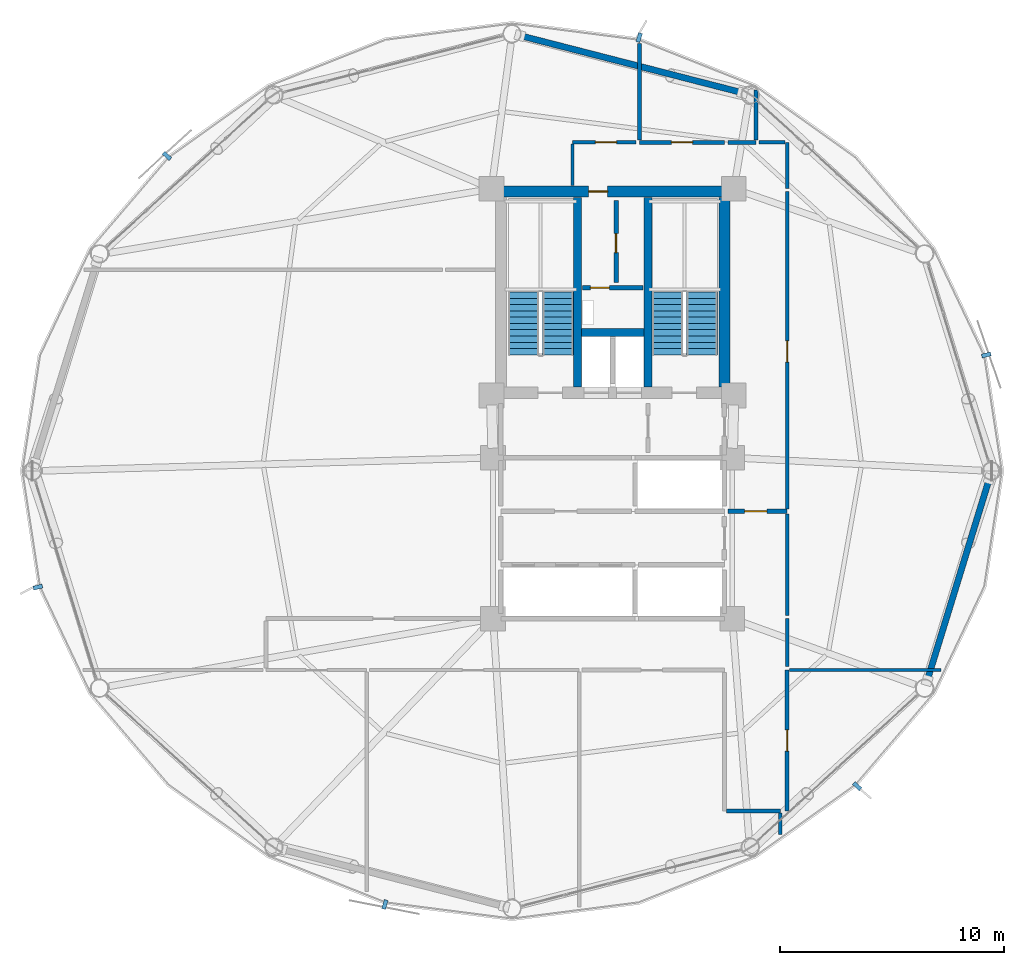
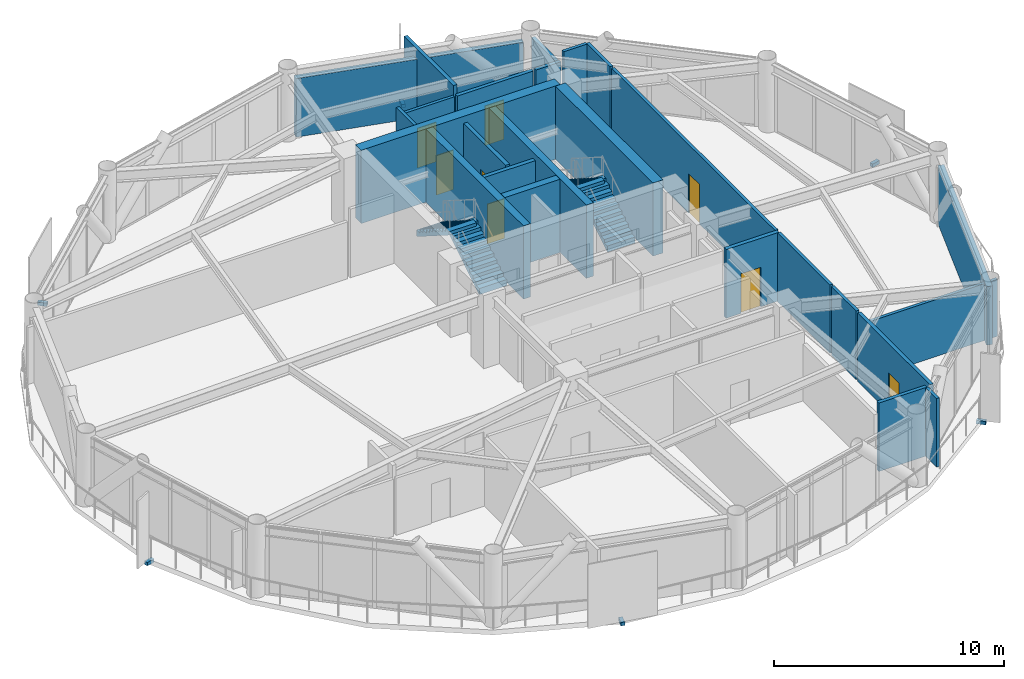
# One storey, part 21 of 24: 25 walls, 8 doors, 6 discrete accessories, 4 stair flights, 8 openings, 2 elements without a shape of their own.
"""IFC4 building model written with IfcOpenShell, lengths in metres."""

from ifc_helpers import new_model, si_unit, direction, frame, frame_2d, origin, origin_2d, place, context, subcontext, project, spatial, polyline, rectangle, outline, extrude, source, transform, mapped, material, layer, layer_set, type_object, type_shapes, element, fill, aggregate, save


model = new_model("IFC4")

# Units and contexts
model_context = context("Model", 3, precision=1e-05, world=origin(), true_north=direction((0.0, 1.0)))
body_context = subcontext(model_context, "Body", "Model", "MODEL_VIEW")
ifc_project = project(units=[si_unit("LENGTHUNIT", "METRE"), si_unit("AREAUNIT", "SQUARE_METRE"), si_unit("VOLUMEUNIT", "CUBIC_METRE"), si_unit("PLANEANGLEUNIT", "RADIAN"), si_unit("MASSUNIT", "GRAM", prefix="KILO")], contexts=[model_context])

# Site, building, storey
site_placement = place(None, origin())
site = spatial("IfcSite", under=ifc_project, at=site_placement, CompositionType="ELEMENT")
building_placement = place(site_placement, origin())
building = spatial("IfcBuilding", under=site, at=building_placement, Name="Varnakorn Sky Granary", CompositionType="ELEMENT")
storey_placement = place(building_placement, frame((0.0, 0.0, 111.0)))
storey = spatial("IfcBuildingStorey", under=building, at=storey_placement, Name="L27", CompositionType="ELEMENT", Elevation=111.0)

# Walls
ifc_material_1 = material(Name="Concrete C50/60", Category="concrete")
ifc_layer_1 = layer(ifc_material_1, 0.35009765625, Name="Concrete C50/60")
ifc_layer_set_1 = layer_set([ifc_layer_1], Name="Concrete C50/60")
wall_type_1 = type_object("IfcWallType", Name="WT-CW-INT-350", PredefinedType="SHEAR", material=ifc_layer_set_1)
for number, where, z_axis, x_axis, name in (
    (1, (1.419921875, 3.760009765625, 0.0), (0.0, 0.0, 1.0), (0.0, 1.0, 0.0), "Stair ST-1 Core Wall L27"),
    (2, (4.580078125, 3.760009765625, 0.0), (0.0, 0.0, 1.0), (0.0, 1.0, 0.0), "Stair ST-2 Core Wall L27"),
):
    element("IfcWall", number, at=place(storey_placement, frame(where, z_axis=z_axis, x_axis=x_axis)), inside=storey, type_object=wall_type_1, Name=name, PredefinedType="SHEAR", context=body_context, shape_type="SweptSolid", body=[
        extrude(rectangle(XDim=8.47998046875, YDim=0.35009765625, at=frame_2d((4.239990234375, 0.0))), origin(), (0.0, 0.0, 1.0), 3.89208984375),
    ])
wall_1_placement = place(storey_placement, frame((1.610107421875, 6.199951171875, 0.0), z_axis=(0.0, 0.0, 1.0), x_axis=(1.0, 0.0, 0.0)))
element("IfcWall", 3, at=wall_1_placement, inside=storey, type_object=wall_type_1, Name="Core Lift Shaft Cross Wall L27", PredefinedType="SHEAR", context=body_context, shape_type="SweptSolid", body=[
    extrude(rectangle(XDim=2.77978515625, YDim=0.35009765625, at=frame_2d((1.389892578125, 0.0))), origin(), (0.0, 0.0, 1.0), 3.89208984375),
])

# Wall, opening, door
ifc_material_2 = material(Name="Concrete C60/75", Category="concrete")
ifc_layer_2 = layer(ifc_material_2, 0.5, Name="Concrete C60/75")
ifc_layer_set_2 = layer_set([ifc_layer_2], Name="Concrete C60/75")
wall_type_2 = type_object("IfcWallType", Name="WT-CW-SHEAR-500", PredefinedType="SHEAR", material=ifc_layer_set_2)
wall_2_placement = place(storey_placement, frame((-2.0, 12.5, 0.0), z_axis=(0.0, 0.0, 1.0), x_axis=(1.0, 0.0, 0.0)))
wall_2 = element("IfcWall", 4, at=wall_2_placement, inside=storey, type_object=wall_type_2, Name="Core North Shear Wall L27", PredefinedType="SHEAR", context=body_context, shape_type="SweptSolid", body=[
    extrude(rectangle(XDim=10.0, YDim=0.5, at=frame_2d((5.0, 0.0))), origin(), (0.0, 0.0, 1.0), 3.89208984375),
])
opening_1_placement = place(wall_2_placement, frame((3.919921875, 0.0, 0.0)))
opening_1 = element("IfcOpeningElement", 5, at=opening_1_placement, cuts=wall_2, Name="Opening FD-60N", PredefinedType="OPENING", context=body_context, shape_type="SweptSolid", body=[
    extrude(rectangle(XDim=0.85009765625, YDim=2.10009765625, at=frame_2d((0.425048828125, 1.050048828125))), frame((0.0, 0.260009765625, 0.0), z_axis=(0.0, -1.0, 0.0), x_axis=(1.0, 0.0, 0.0)), (0.0, 0.0, 1.0), 0.52001953125),
])
ifc_material_3 = material(Name="Acoustic Timber Fire Leaf", Category="wood")
door_type_1 = type_object("IfcDoorType", Name="DR-FD60-850", OperationType="NOTDEFINED", PredefinedType="DOOR", material=ifc_material_3)
door_1_placement = place(opening_1_placement, origin())
door_1 = element("IfcDoor", 6, at=door_1_placement, inside=storey, type_object=door_type_1, Name="Core North Service Door L27", OperationType="SINGLE_SWING_LEFT", OverallHeight=2.10009765625, OverallWidth=0.85009765625, PredefinedType="DOOR", context=body_context, shape_type="SweptSolid", body=[
    extrude(rectangle(XDim=0.85009765625, YDim=2.10009765625, at=frame_2d((0.425048828125, 1.050048828125))), frame((0.0, 0.02490234375, 0.0), z_axis=(0.0, -1.0, 0.0), x_axis=(1.0, 0.0, 0.0)), (0.0, 0.0, 1.0), 0.050048828125),
])
fill(opening_1, door_1)

# Walls
wall_3_placement = place(storey_placement, frame((8.0, 3.760009765625, 0.0), z_axis=(0.0, 0.0, 1.0), x_axis=(0.0, 1.0, 0.0)))
element("IfcWall", 7, at=wall_3_placement, inside=storey, type_object=wall_type_2, Name="Core East Shear Wall L27", PredefinedType="SHEAR", context=body_context, shape_type="SweptSolid", body=[
    extrude(rectangle(XDim=8.47998046875, YDim=0.5, at=frame_2d((4.239990234375, 0.0))), origin(), (0.0, 0.0, 1.0), 3.89208984375),
])
ifc_material_4 = material(Name="Precast concrete C40/50", Category="concrete")
ifc_layer_3 = layer(ifc_material_4, 0.280029296875, Name="Precast concrete C40/50")
ifc_layer_set_3 = layer_set([ifc_layer_3], Name="Precast concrete C40/50")
wall_type_3 = type_object("IfcWallType", Name="WT-EW-CRN-280", PredefinedType="SOLIDWALL", material=ifc_layer_set_3)
wall_4_placement = place(storey_placement, frame((-1.14990234375, 19.47412109375, 0.0), z_axis=(0.0, 0.0, 1.0), x_axis=(0.96854773237, -0.248827832286, 0.0)))
element("IfcWall", 8, at=wall_4_placement, inside=storey, type_object=wall_type_3, Name="Agritech Insulated Precast Facade Wall L27-P03", PredefinedType="SOLIDWALL", context=body_context, shape_type="SweptSolid", body=[
    extrude(rectangle(XDim=10.280517578125, YDim=0.280029296875, at=frame_2d((5.14013671875, 0.0))), origin(), (0.0, 0.0, 1.0), 3.110107421875),
])
wall_5_placement = place(storey_placement, frame((19.843505859375, -0.345458984375, 0.0), z_axis=(0.0, 0.0, 1.0), x_axis=(-0.294220311177, -0.95573762534, 0.0)))
element("IfcWall", 9, at=wall_5_placement, inside=storey, type_object=wall_type_3, Name="Agritech Insulated Precast Facade Wall L27-P12", PredefinedType="SOLIDWALL", context=body_context, shape_type="SweptSolid", body=[
    extrude(rectangle(XDim=9.44140625, YDim=0.280029296875, at=frame_2d((4.720703125, 0.0))), origin(), (0.0, 0.0, 1.0), 3.110107421875),
])

# Wall, opening, door
ifc_material_5 = material(Name="Autoclaved Aerated Concrete Blockwork", Category="masonry")
ifc_layer_4 = layer(ifc_material_5, 0.199951171875, Name="Autoclaved Aerated Concrete Blockwork")
ifc_layer_set_4 = layer_set([ifc_layer_4], Name="Autoclaved Aerated Concrete Blockwork")
wall_type_4 = type_object("IfcWallType", Name="WT-FIRE-200", PredefinedType="MOVABLE", material=ifc_layer_set_4)
wall_6_placement = place(storey_placement, frame((1.64990234375, 8.199951171875, 0.0), z_axis=(0.0, 0.0, 1.0), x_axis=(1.0, 0.0, 0.0)))
wall_6 = element("IfcWall", 10, at=wall_6_placement, inside=storey, type_object=wall_type_4, Name="Interior Partition Wall L27-013", PredefinedType="MOVABLE", context=body_context, shape_type="SweptSolid", body=[
    extrude(rectangle(XDim=2.7001953125, YDim=0.199951171875, at=frame_2d((1.35009765625, 0.0))), origin(), (0.0, 0.0, 1.0), 3.639892578125),
])
opening_2_placement = place(wall_6_placement, frame((0.35009765625, 0.0, 0.0)))
opening_2 = element("IfcOpeningElement", 11, at=opening_2_placement, cuts=wall_6, Name="Opening FD-60N", PredefinedType="OPENING", context=body_context, shape_type="SweptSolid", body=[
    extrude(rectangle(XDim=0.85009765625, YDim=2.10009765625, at=frame_2d((0.425048828125, 1.050048828125))), frame((0.0, 0.10986328125, 0.0), z_axis=(0.0, -1.0, 0.0), x_axis=(1.0, 0.0, 0.0)), (0.0, 0.0, 1.0), 0.219970703125),
])
door_2_placement = place(opening_2_placement, origin())
door_2 = element("IfcDoor", 12, at=door_2_placement, inside=storey, type_object=door_type_1, Name="Interior Door L27-013-1", OperationType="SINGLE_SWING_RIGHT", OverallHeight=2.10009765625, OverallWidth=0.85009765625, PredefinedType="DOOR", context=body_context, shape_type="SweptSolid", body=[
    extrude(rectangle(XDim=0.85009765625, YDim=2.10009765625, at=frame_2d((0.425048828125, 1.050048828125))), frame((0.0, 0.02490234375, 0.0), z_axis=(0.0, -1.0, 0.0), x_axis=(1.0, 0.0, 0.0)), (0.0, 0.0, 1.0), 0.050048828125),
])
fill(opening_2, door_2)

wall_7_placement = place(storey_placement, frame((3.14990234375, 8.429931640625, 0.0), z_axis=(0.0, 0.0, 1.0), x_axis=(0.0, 1.0, 0.0)))
wall_7 = element("IfcWall", 13, at=wall_7_placement, inside=storey, type_object=wall_type_4, Name="Interior Partition Wall L27-014", PredefinedType="MOVABLE", context=body_context, shape_type="SweptSolid", body=[
    extrude(rectangle(XDim=3.670166015625, YDim=0.199951171875, at=frame_2d((1.8349609375, 0.0))), origin(), (0.0, 0.0, 1.0), 3.639892578125),
])
opening_3_placement = place(wall_7_placement, frame((1.340087890625, 0.0, 0.0)))
opening_3 = element("IfcOpeningElement", 14, at=opening_3_placement, cuts=wall_7, Name="Opening FD-60N", PredefinedType="OPENING", context=body_context, shape_type="SweptSolid", body=[
    extrude(rectangle(XDim=0.85009765625, YDim=2.10009765625, at=frame_2d((0.425048828125, 1.050048828125))), frame((0.0, 0.10986328125, 0.0), z_axis=(0.0, -1.0, 0.0), x_axis=(1.0, 0.0, 0.0)), (0.0, 0.0, 1.0), 0.219970703125),
])
door_3_placement = place(opening_3_placement, origin())
door_3 = element("IfcDoor", 15, at=door_3_placement, inside=storey, type_object=door_type_1, Name="Interior Door L27-014-1", OperationType="SINGLE_SWING_LEFT", OverallHeight=2.10009765625, OverallWidth=0.85009765625, PredefinedType="DOOR", context=body_context, shape_type="SweptSolid", body=[
    extrude(rectangle(XDim=0.85009765625, YDim=2.10009765625, at=frame_2d((0.425048828125, 1.050048828125))), frame((0.0, 0.02490234375, 0.0), z_axis=(0.0, -1.0, 0.0), x_axis=(1.0, 0.0, 0.0)), (0.0, 0.0, 1.0), 0.050048828125),
])
fill(opening_3, door_3)

wall_8_placement = place(storey_placement, frame((8.159912109375, -1.800048828125, 0.0), z_axis=(0.0, 0.0, 1.0), x_axis=(1.0, 0.0, 0.0)))
wall_8 = element("IfcWall", 16, at=wall_8_placement, inside=storey, type_object=wall_type_4, Name="Interior Partition Wall L27-019", PredefinedType="MOVABLE", context=body_context, shape_type="SweptSolid", body=[
    extrude(rectangle(XDim=2.64013671875, YDim=0.199951171875, at=frame_2d((1.320068359375, 0.0))), origin(), (0.0, 0.0, 1.0), 3.639892578125),
])
opening_4_placement = place(wall_8_placement, frame((0.739990234375, 0.0, 0.0)))
opening_4 = element("IfcOpeningElement", 17, at=opening_4_placement, cuts=wall_8, Name="Opening FD-60", PredefinedType="OPENING", context=body_context, shape_type="SweptSolid", body=[
    extrude(rectangle(XDim=1.0, YDim=2.10009765625, at=frame_2d((0.5, 1.050048828125))), frame((0.0, 0.10986328125, 0.0), z_axis=(0.0, -1.0, 0.0), x_axis=(1.0, 0.0, 0.0)), (0.0, 0.0, 1.0), 0.219970703125),
])
door_type_2 = type_object("IfcDoorType", Name="DR-FD60-1000", OperationType="NOTDEFINED", PredefinedType="DOOR", material=ifc_material_3)
door_4_placement = place(opening_4_placement, origin())
door_4 = element("IfcDoor", 18, at=door_4_placement, inside=storey, type_object=door_type_2, Name="Interior Door L27-019-1", OperationType="SINGLE_SWING_RIGHT", OverallHeight=2.10009765625, OverallWidth=1.0, PredefinedType="DOOR", context=body_context, shape_type="SweptSolid", body=[
    extrude(rectangle(XDim=1.0, YDim=2.10009765625, at=frame_2d((0.5, 1.050048828125))), frame((0.0, 0.02490234375, 0.0), z_axis=(0.0, -1.0, 0.0), x_axis=(1.0, 0.0, 0.0)), (0.0, 0.0, 1.0), 0.050048828125),
])
fill(opening_4, door_4)

ifc_material_6 = material(Name="Gypsum Plasterboard on Steel Stud", Category="steel")
ifc_layer_5 = layer(ifc_material_6, 0.14990234375, Name="Gypsum Plasterboard on Steel Stud")
ifc_layer_set_5 = layer_set([ifc_layer_5], Name="Gypsum Plasterboard on Steel Stud")
wall_type_5 = type_object("IfcWallType", Name="WT-PART-150", PredefinedType="PARTITIONING", material=ifc_layer_set_5)
wall_9_placement = place(storey_placement, frame((4.050048828125, 14.699951171875, 0.0), z_axis=(0.0, 0.0, 1.0), x_axis=(-1.0, 0.0, 0.0)))
wall_9 = element("IfcWall", 19, at=wall_9_placement, inside=storey, type_object=wall_type_5, Name="Interior Partition Wall L27-026", PredefinedType="PARTITIONING", context=body_context, shape_type="SweptSolid", body=[
    extrude(rectangle(XDim=2.85009765625, YDim=0.14990234375, at=frame_2d((1.425048828125, 0.0))), origin(), (0.0, 0.0, 1.0), 3.172119140625),
])
opening_5_placement = place(wall_9_placement, frame((0.875, 0.0, 0.0)))
opening_5 = element("IfcOpeningElement", 20, at=opening_5_placement, cuts=wall_9, Name="Opening ID-95", PredefinedType="OPENING", context=body_context, shape_type="SweptSolid", body=[
    extrude(rectangle(XDim=0.949951171875, YDim=2.10009765625, at=frame_2d((0.47509765625, 1.050048828125))), frame((0.0, 0.0849609375, 0.0), z_axis=(0.0, -1.0, 0.0), x_axis=(1.0, 0.0, 0.0)), (0.0, 0.0, 1.0), 0.169921875),
])
ifc_material_7 = material(Name="Solid-Core Teak Veneer Leaf", Category="timber")
door_type_3 = type_object("IfcDoorType", Name="DR-INT-950", OperationType="NOTDEFINED", PredefinedType="DOOR", material=ifc_material_7)
door_5_placement = place(opening_5_placement, origin())
door_5 = element("IfcDoor", 21, at=door_5_placement, inside=storey, type_object=door_type_3, Name="Interior Door L27-026-1", OperationType="SINGLE_SWING_LEFT", OverallHeight=2.10009765625, OverallWidth=0.949951171875, PredefinedType="DOOR", context=body_context, shape_type="SweptSolid", body=[
    extrude(rectangle(XDim=0.949951171875, YDim=2.10009765625, at=frame_2d((0.47509765625, 1.050048828125))), frame((0.0, 0.02490234375, 0.0), z_axis=(0.0, -1.0, 0.0), x_axis=(1.0, 0.0, 0.0)), (0.0, 0.0, 1.0), 0.050048828125),
])
fill(opening_5, door_5)

wall_10_placement = place(storey_placement, frame((10.800048828125, -1.68994140625, 0.0), z_axis=(0.0, 0.0, 1.0), x_axis=(0.0, 1.0, 0.0)))
wall_10 = element("IfcWall", 22, at=wall_10_placement, inside=storey, type_object=wall_type_5, Name="Interior Partition Wall L27-027", PredefinedType="PARTITIONING", context=body_context, shape_type="SweptSolid", body=[
    extrude(rectangle(XDim=14.18994140625, YDim=0.14990234375, at=frame_2d((7.094970703125, 0.0))), origin(), (0.0, 0.0, 1.0), 3.639892578125),
])
opening_6_placement = place(wall_10_placement, frame((6.56494140625, 0.0, 0.0)))
opening_6 = element("IfcOpeningElement", 23, at=opening_6_placement, cuts=wall_10, Name="Opening ID-95", PredefinedType="OPENING", context=body_context, shape_type="SweptSolid", body=[
    extrude(rectangle(XDim=0.949951171875, YDim=2.10009765625, at=frame_2d((0.47509765625, 1.050048828125))), frame((0.0, 0.0849609375, 0.0), z_axis=(0.0, -1.0, 0.0), x_axis=(1.0, 0.0, 0.0)), (0.0, 0.0, 1.0), 0.169921875),
])
door_6_placement = place(opening_6_placement, origin())
door_6 = element("IfcDoor", 24, at=door_6_placement, inside=storey, type_object=door_type_3, Name="Interior Door L27-027-1", OperationType="SINGLE_SWING_RIGHT", OverallHeight=2.10009765625, OverallWidth=0.949951171875, PredefinedType="DOOR", context=body_context, shape_type="SweptSolid", body=[
    extrude(rectangle(XDim=0.949951171875, YDim=2.10009765625, at=frame_2d((0.47509765625, 1.050048828125))), frame((0.0, 0.02490234375, 0.0), z_axis=(0.0, -1.0, 0.0), x_axis=(1.0, 0.0, 0.0)), (0.0, 0.0, 1.0), 0.050048828125),
])
fill(opening_6, door_6)

# Walls
wall_11_placement = place(storey_placement, frame((10.5, -15.300048828125, 0.0), z_axis=(0.0, 0.0, 1.0), x_axis=(0.0, -1.0, 0.0)))
element("IfcWall", 25, at=wall_11_placement, inside=storey, type_object=wall_type_5, Name="Interior Partition Wall L27-038", PredefinedType="PARTITIONING", context=body_context, shape_type="SweptSolid", body=[
    extrude(rectangle(XDim=0.947998046875, YDim=0.14990234375, at=frame_2d((0.47412109375, 0.0))), origin(), (0.0, 0.0, 1.0), 3.639892578125),
])
wall_12_placement = place(storey_placement, frame((10.89990234375, -8.89990234375, 0.0), z_axis=(0.0, 0.0, 1.0), x_axis=(1.0, 0.0, 0.0)))
element("IfcWall", 26, at=wall_12_placement, inside=storey, type_object=wall_type_5, Name="Interior Partition Wall L27-039", PredefinedType="PARTITIONING", context=body_context, shape_type="SweptSolid", body=[
    extrude(rectangle(XDim=6.7880859375, YDim=0.14990234375, at=frame_2d((3.39404296875, 0.0))), origin(), (0.0, 0.0, 1.0), 3.02197265625),
])
wall_13_placement = place(storey_placement, frame((1.199951171875, 14.614990234375, 0.0), z_axis=(0.0, 0.0, 1.0), x_axis=(0.0, -1.0, 0.0)))
element("IfcWall", 27, at=wall_13_placement, inside=storey, type_object=wall_type_5, Name="Interior Partition Wall L27-043", PredefinedType="PARTITIONING", context=body_context, shape_type="SweptSolid", body=[
    extrude(rectangle(XDim=1.85498046875, YDim=0.14990234375, at=frame_2d((0.927490234375, 0.0))), origin(), (0.0, 0.0, 1.0), 3.639892578125),
])
wall_14_placement = place(storey_placement, frame((10.800048828125, 12.635009765625, 0.0), z_axis=(0.0, 0.0, 1.0), x_axis=(0.0, 1.0, 0.0)))
element("IfcWall", 28, at=wall_14_placement, inside=storey, type_object=wall_type_5, Name="Interior Partition Wall L27-045", PredefinedType="PARTITIONING", context=body_context, shape_type="SweptSolid", body=[
    extrude(rectangle(XDim=2.06494140625, YDim=0.14990234375, at=frame_2d((1.032470703125, 0.0))), origin(), (0.0, 0.0, 1.0), 3.639892578125),
])
wall_15_placement = place(storey_placement, frame((10.715087890625, 14.699951171875, 0.0), z_axis=(0.0, 0.0, 1.0), x_axis=(-1.0, 0.0, 0.0)))
element("IfcWall", 29, at=wall_15_placement, inside=storey, type_object=wall_type_5, Name="Interior Partition Wall L27-046", PredefinedType="PARTITIONING", context=body_context, shape_type="SweptSolid", body=[
    extrude(rectangle(XDim=1.1650390625, YDim=0.14990234375, at=frame_2d((0.58251953125, 0.0))), origin(), (0.0, 0.0, 1.0), 3.639892578125),
])
wall_16_placement = place(storey_placement, frame((10.800048828125, -8.75, 0.0), z_axis=(0.0, 0.0, 1.0), x_axis=(0.0, 1.0, 0.0)))
element("IfcWall", 30, at=wall_16_placement, inside=storey, type_object=wall_type_5, Name="Interior Partition Wall L27-047", PredefinedType="PARTITIONING", context=body_context, shape_type="SweptSolid", body=[
    extrude(rectangle(XDim=2.14990234375, YDim=0.14990234375, at=frame_2d((1.074951171875, 0.0))), origin(), (0.0, 0.0, 1.0), 3.639892578125),
])
wall_17_placement = place(storey_placement, frame((10.800048828125, -6.465087890625, 0.0), z_axis=(0.0, 0.0, 1.0), x_axis=(0.0, 1.0, 0.0)))
element("IfcWall", 31, at=wall_17_placement, inside=storey, type_object=wall_type_5, Name="Interior Partition Wall L27-048", PredefinedType="PARTITIONING", context=body_context, shape_type="SweptSolid", body=[
    extrude(rectangle(XDim=4.55517578125, YDim=0.14990234375, at=frame_2d((2.277587890625, 0.0))), origin(), (0.0, 0.0, 1.0), 3.639892578125),
])

# Wall, opening, door
ifc_material_8 = material(Name="Moisture-Resistant Gypsum on Stud", Category="gypsum")
ifc_layer_6 = layer(ifc_material_8, 0.179931640625, Name="Moisture-Resistant Gypsum on Stud")
ifc_layer_set_6 = layer_set([ifc_layer_6], Name="Moisture-Resistant Gypsum on Stud")
wall_type_6 = type_object("IfcWallType", Name="WT-PLUMB-180", PredefinedType="PLUMBINGWALL", material=ifc_layer_set_6)
wall_18_placement = place(storey_placement, frame((8.0, 14.699951171875, 0.0), z_axis=(0.0, 0.0, 1.0), x_axis=(-1.0, 0.0, 0.0)))
wall_18 = element("IfcWall", 32, at=wall_18_placement, inside=storey, type_object=wall_type_6, Name="Interior Partition Wall L27-020", PredefinedType="PLUMBINGWALL", context=body_context, shape_type="SweptSolid", body=[
    extrude(rectangle(XDim=3.800048828125, YDim=0.179931640625, at=frame_2d((1.89990234375, 0.0))), origin(), (0.0, 0.0, 1.0), 3.172119140625),
])
opening_7_placement = place(wall_18_placement, frame((1.425048828125, 0.0, 0.0)))
opening_7 = element("IfcOpeningElement", 33, at=opening_7_placement, cuts=wall_18, Name="Opening ID-95", PredefinedType="OPENING", context=body_context, shape_type="SweptSolid", body=[
    extrude(rectangle(XDim=0.949951171875, YDim=2.10009765625, at=frame_2d((0.47509765625, 1.050048828125))), frame((0.0, 0.10009765625, 0.0), z_axis=(0.0, -1.0, 0.0), x_axis=(1.0, 0.0, 0.0)), (0.0, 0.0, 1.0), 0.199951171875),
])
door_7_placement = place(opening_7_placement, origin())
door_7 = element("IfcDoor", 34, at=door_7_placement, inside=storey, type_object=door_type_3, Name="Interior Door L27-020-1", OperationType="SINGLE_SWING_LEFT", OverallHeight=2.10009765625, OverallWidth=0.949951171875, PredefinedType="DOOR", context=body_context, shape_type="SweptSolid", body=[
    extrude(rectangle(XDim=0.949951171875, YDim=2.10009765625, at=frame_2d((0.47509765625, 1.050048828125))), frame((0.0, 0.02490234375, 0.0), z_axis=(0.0, -1.0, 0.0), x_axis=(1.0, 0.0, 0.0)), (0.0, 0.0, 1.0), 0.050048828125),
])
fill(opening_7, door_7)

wall_19_placement = place(storey_placement, frame((10.800048828125, -15.199951171875, 0.0), z_axis=(0.0, 0.0, 1.0), x_axis=(0.0, 1.0, 0.0)))
wall_19 = element("IfcWall", 35, at=wall_19_placement, inside=storey, type_object=wall_type_6, Name="Interior Partition Wall L27-024", PredefinedType="PLUMBINGWALL", context=body_context, shape_type="SweptSolid", body=[
    extrude(rectangle(XDim=6.300048828125, YDim=0.179931640625, at=frame_2d((3.14990234375, 0.0))), origin(), (0.0, 0.0, 1.0), 3.639892578125),
])
opening_8_placement = place(wall_19_placement, frame((2.675048828125, 0.0, 0.0)))
opening_8 = element("IfcOpeningElement", 36, at=opening_8_placement, cuts=wall_19, Name="Opening ID-95", PredefinedType="OPENING", context=body_context, shape_type="SweptSolid", body=[
    extrude(rectangle(XDim=0.949951171875, YDim=2.10009765625, at=frame_2d((0.47509765625, 1.050048828125))), frame((0.0, 0.10009765625, 0.0), z_axis=(0.0, -1.0, 0.0), x_axis=(1.0, 0.0, 0.0)), (0.0, 0.0, 1.0), 0.199951171875),
])
door_8_placement = place(opening_8_placement, origin())
door_8 = element("IfcDoor", 37, at=door_8_placement, inside=storey, type_object=door_type_3, Name="Interior Door L27-024-1", OperationType="SINGLE_SWING_LEFT", OverallHeight=2.10009765625, OverallWidth=0.949951171875, PredefinedType="DOOR", context=body_context, shape_type="SweptSolid", body=[
    extrude(rectangle(XDim=0.949951171875, YDim=2.10009765625, at=frame_2d((0.47509765625, 1.050048828125))), frame((0.0, 0.02490234375, 0.0), z_axis=(0.0, -1.0, 0.0), x_axis=(1.0, 0.0, 0.0)), (0.0, 0.0, 1.0), 0.050048828125),
])
fill(opening_8, door_8)

# Walls
wall_20_placement = place(storey_placement, frame((9.39990234375, 14.699951171875, 0.0), z_axis=(0.0, 0.0, 1.0), x_axis=(-1.0, 0.0, 0.0)))
element("IfcWall", 38, at=wall_20_placement, inside=storey, type_object=wall_type_6, Name="Interior Partition Wall L27-032", PredefinedType="PLUMBINGWALL", context=body_context, shape_type="SweptSolid", body=[
    extrude(rectangle(XDim=1.25, YDim=0.179931640625, at=frame_2d((0.625, 0.0))), origin(), (0.0, 0.0, 1.0), 3.172119140625),
])
wall_21_placement = place(storey_placement, frame((8.10009765625, -15.199951171875, 0.0), z_axis=(0.0, 0.0, 1.0), x_axis=(1.0, 0.0, 0.0)))
element("IfcWall", 39, at=wall_21_placement, inside=storey, type_object=wall_type_6, Name="Interior Partition Wall L27-037", PredefinedType="PLUMBINGWALL", context=body_context, shape_type="SweptSolid", body=[
    extrude(rectangle(XDim=2.39990234375, YDim=0.179931640625, at=frame_2d((1.199951171875, 0.0))), origin(), (0.0, 0.0, 1.0), 3.639892578125),
])
wall_22_placement = place(storey_placement, frame((4.199951171875, 19.1220703125, 0.0), z_axis=(0.0, 0.0, 1.0), x_axis=(0.0, -1.0, 0.0)))
element("IfcWall", 40, at=wall_22_placement, inside=storey, type_object=wall_type_6, Name="Interior Partition Wall L27-044", PredefinedType="PLUMBINGWALL", context=body_context, shape_type="SweptSolid", body=[
    extrude(rectangle(XDim=4.322021484375, YDim=0.179931640625, at=frame_2d((2.1611328125, 0.0))), origin(), (0.0, 0.0, 1.0), 3.639892578125),
])
wall_23_placement = place(storey_placement, frame((9.39990234375, 14.800048828125, 0.0), z_axis=(0.0, 0.0, 1.0), x_axis=(0.0, 1.0, 0.0)))
element("IfcWall", 41, at=wall_23_placement, inside=storey, type_object=wall_type_6, Name="Interior Partition Wall L27-049", PredefinedType="PLUMBINGWALL", context=body_context, shape_type="SweptSolid", body=[
    extrude(rectangle(XDim=2.23193359375, YDim=0.179931640625, at=frame_2d((1.115966796875, 0.0))), origin(), (0.0, 0.0, 1.0), 3.02197265625),
])

# Stair, stair flights
ifc_material_9 = material(Name="Concrete C40/50", Category="concrete")
stair_type = type_object("IfcStairType", Name="ST-MAIN-ASSEMBLY", PredefinedType="HALF_TURN_STAIR", material=ifc_material_9)
stair_1_placement = place(storey_placement, origin())
stair_1 = element("IfcStair", 42, at=stair_1_placement, inside=storey, type_object=stair_type, Name="L27 Protected Exit Stair ST-1", PredefinedType="HALF_TURN_STAIR")
stair_flight_type = type_object("IfcStairFlightType", Name="ST-MAIN-FLIGHT", PredefinedType="STRAIGHT", material=ifc_material_9)
stair_flight_1_placement = place(storey_placement, frame((0.550048828125, 5.199951171875, 0.0), z_axis=(0.0, 0.0, 1.0), x_axis=(0.0, 1.0, 0.0)))
stair_flight_1 = element("IfcStairFlight", 43, at=stair_flight_1_placement, type_object=stair_flight_type, Name="ST-1 flight 1", NumberOfRisers=11, NumberOfTreads=10, PredefinedType="STRAIGHT", RiserHeight=0.177272727, TreadLength=0.28, context=body_context, shape_type="SweptSolid", body=[
    extrude(outline(polyline([(0.0, -0.14990234375), (0.0, 0.0), (0.0, 0.17724609375), (0.280029296875, 0.17724609375), (0.280029296875, 0.3544921875), (0.56005859375, 0.3544921875), (0.56005859375, 0.53173828125), (0.840087890625, 0.53173828125), (0.840087890625, 0.708984375), (1.1201171875, 0.708984375), (1.1201171875, 0.886474609375), (1.39990234375, 0.886474609375), (1.39990234375, 1.063720703125), (1.679931640625, 1.063720703125), (1.679931640625, 1.240966796875), (1.9599609375, 1.240966796875), (1.9599609375, 1.418212890625), (2.239990234375, 1.418212890625), (2.239990234375, 1.595458984375), (2.52001953125, 1.595458984375), (2.52001953125, 1.772705078125), (2.800048828125, 1.772705078125), (2.800048828125, 1.949951171875), (2.800048828125, 1.59521484375), (0.050048828125, -0.14990234375), (0.0, -0.14990234375)])), frame((0.0, 0.68994140625, 0.0), z_axis=(0.0, -1.0, 0.0), x_axis=(1.0, 0.0, 0.0)), (0.0, 0.0, 1.0), 1.3798828125),
])
stair_flight_2_placement = place(storey_placement, frame((-0.97998046875, 8.0, 1.949951171875), z_axis=(0.0, 0.0, 1.0), x_axis=(0.0, -1.0, 0.0)))
stair_flight_2 = element("IfcStairFlight", 44, at=stair_flight_2_placement, type_object=stair_flight_type, Name="ST-1 flight 2", NumberOfRisers=11, NumberOfTreads=10, PredefinedType="STRAIGHT", RiserHeight=0.177272727, TreadLength=0.28, context=body_context, shape_type="SweptSolid", body=[
    extrude(outline(polyline([(0.0, -0.14990234375), (0.0, 0.0), (0.0, 0.17724609375), (0.280029296875, 0.17724609375), (0.280029296875, 0.3544921875), (0.56005859375, 0.3544921875), (0.56005859375, 0.53173828125), (0.840087890625, 0.53173828125), (0.840087890625, 0.708984375), (1.1201171875, 0.708984375), (1.1201171875, 0.886474609375), (1.39990234375, 0.886474609375), (1.39990234375, 1.063720703125), (1.679931640625, 1.063720703125), (1.679931640625, 1.240966796875), (1.9599609375, 1.240966796875), (1.9599609375, 1.418212890625), (2.239990234375, 1.418212890625), (2.239990234375, 1.595458984375), (2.52001953125, 1.595458984375), (2.52001953125, 1.772705078125), (2.800048828125, 1.772705078125), (2.800048828125, 1.949951171875), (2.800048828125, 1.59521484375), (0.050048828125, -0.14990234375), (0.0, -0.14990234375)])), frame((0.0, 0.68994140625, 0.0), z_axis=(0.0, -1.0, 0.0), x_axis=(1.0, 0.0, 0.0)), (0.0, 0.0, 1.0), 1.3798828125),
])
aggregate(stair_1, [stair_flight_1, stair_flight_2])

stair_2_placement = place(storey_placement, origin())
stair_2 = element("IfcStair", 45, at=stair_2_placement, inside=storey, type_object=stair_type, Name="L27 Protected Exit Stair ST-2", PredefinedType="HALF_TURN_STAIR")
stair_flight_3_placement = place(storey_placement, frame((6.989990234375, 5.199951171875, 0.0), z_axis=(0.0, 0.0, 1.0), x_axis=(0.0, 1.0, 0.0)))
stair_flight_3 = element("IfcStairFlight", 46, at=stair_flight_3_placement, type_object=stair_flight_type, Name="ST-2 flight 1", NumberOfRisers=11, NumberOfTreads=10, PredefinedType="STRAIGHT", RiserHeight=0.177272727, TreadLength=0.28, context=body_context, shape_type="SweptSolid", body=[
    extrude(outline(polyline([(0.0, -0.14990234375), (0.0, 0.0), (0.0, 0.17724609375), (0.280029296875, 0.17724609375), (0.280029296875, 0.3544921875), (0.56005859375, 0.3544921875), (0.56005859375, 0.53173828125), (0.840087890625, 0.53173828125), (0.840087890625, 0.708984375), (1.1201171875, 0.708984375), (1.1201171875, 0.886474609375), (1.39990234375, 0.886474609375), (1.39990234375, 1.063720703125), (1.679931640625, 1.063720703125), (1.679931640625, 1.240966796875), (1.9599609375, 1.240966796875), (1.9599609375, 1.418212890625), (2.239990234375, 1.418212890625), (2.239990234375, 1.595458984375), (2.52001953125, 1.595458984375), (2.52001953125, 1.772705078125), (2.800048828125, 1.772705078125), (2.800048828125, 1.949951171875), (2.800048828125, 1.59521484375), (0.050048828125, -0.14990234375), (0.0, -0.14990234375)])), frame((0.0, 0.68994140625, 0.0), z_axis=(0.0, -1.0, 0.0), x_axis=(1.0, 0.0, 0.0)), (0.0, 0.0, 1.0), 1.3798828125),
])
stair_flight_4_placement = place(storey_placement, frame((5.4599609375, 8.0, 1.949951171875), z_axis=(0.0, 0.0, 1.0), x_axis=(0.0, -1.0, 0.0)))
stair_flight_4 = element("IfcStairFlight", 47, at=stair_flight_4_placement, type_object=stair_flight_type, Name="ST-2 flight 2", NumberOfRisers=11, NumberOfTreads=10, PredefinedType="STRAIGHT", RiserHeight=0.177272727, TreadLength=0.28, context=body_context, shape_type="SweptSolid", body=[
    extrude(outline(polyline([(0.0, -0.14990234375), (0.0, 0.0), (0.0, 0.17724609375), (0.280029296875, 0.17724609375), (0.280029296875, 0.3544921875), (0.56005859375, 0.3544921875), (0.56005859375, 0.53173828125), (0.840087890625, 0.53173828125), (0.840087890625, 0.708984375), (1.1201171875, 0.708984375), (1.1201171875, 0.886474609375), (1.39990234375, 0.886474609375), (1.39990234375, 1.063720703125), (1.679931640625, 1.063720703125), (1.679931640625, 1.240966796875), (1.9599609375, 1.240966796875), (1.9599609375, 1.418212890625), (2.239990234375, 1.418212890625), (2.239990234375, 1.595458984375), (2.52001953125, 1.595458984375), (2.52001953125, 1.772705078125), (2.800048828125, 1.772705078125), (2.800048828125, 1.949951171875), (2.800048828125, 1.59521484375), (0.050048828125, -0.14990234375), (0.0, -0.14990234375)])), frame((0.0, 0.68994140625, 0.0), z_axis=(0.0, -1.0, 0.0), x_axis=(1.0, 0.0, 0.0)), (0.0, 0.0, 1.0), 1.3798828125),
])
aggregate(stair_2, [stair_flight_3, stair_flight_4])

# Discrete accessories
ifc_material_10 = material(Name="Steel S355JR", Category="steel")
discrete_accessory_type = type_object("IfcDiscreteAccessoryType", Name="AC-BRK-01", PredefinedType="BRACKET", material=ifc_material_10)
shared_shape = source(origin(), body_context, "Body", "SweptSolid", [
    extrude(rectangle(XDim=0.179931640625, YDim=0.419921875, at=origin_2d()), origin(), (0.0, 0.0, 1.0), 0.179931640625),
])
type_shapes(discrete_accessory_type, [shared_shape])
for number, where, z_axis, x_axis, name in (
    (48, (19.70751953125, 5.191650390625, -0.2001953125), (0.0, 0.0, 1.0), (-0.237784315446, 0.971317980544, 0.0), "Facade Solar-Screen Outrigger Bracket L27-01"),
    (49, (4.18505859375, 19.384521484375, -0.2001953125), (0.0, 0.0, 1.0), (-0.959582807347, 0.281426430607, 0.0), "Facade Solar-Screen Outrigger Bracket L27-03"),
    (50, (-16.932861328125, 14.091552734375, -0.2001953125), (0.0, 0.0, 1.0), (-0.674287165827, -0.738469239712, 0.0), "Facade Solar-Screen Outrigger Bracket L27-05"),
    (51, (-22.70751953125, -5.191650390625, -0.2001953125), (0.0, 0.0, 1.0), (0.237784315446, -0.971317980544, 0.0), "Facade Solar-Screen Outrigger Bracket L27-07"),
    (52, (-7.18505859375, -19.384521484375, -0.2001953125), (0.0, 0.0, 1.0), (0.959582807347, -0.281426430607, 0.0), "Facade Solar-Screen Outrigger Bracket L27-09"),
    (53, (13.932861328125, -14.091552734375, -0.2001953125), (0.0, 0.0, 1.0), (0.674287165827, 0.738469239712, 0.0), "Facade Solar-Screen Outrigger Bracket L27-11"),
):
    element("IfcDiscreteAccessory", number, at=place(storey_placement, frame(where, z_axis=z_axis, x_axis=x_axis)), inside=storey, type_object=discrete_accessory_type, Name=name, PredefinedType="BRACKET", context=body_context, shape_type="MappedRepresentation", body=[
        mapped(shared_shape, transform((0.0, 0.0, 0.0), x_axis=(1.0, 0.0, 0.0), y_axis=(0.0, 1.0, 0.0), z_axis=(0.0, 0.0, 1.0), scale=1.0)),
    ])

save(model, "model.ifc")
